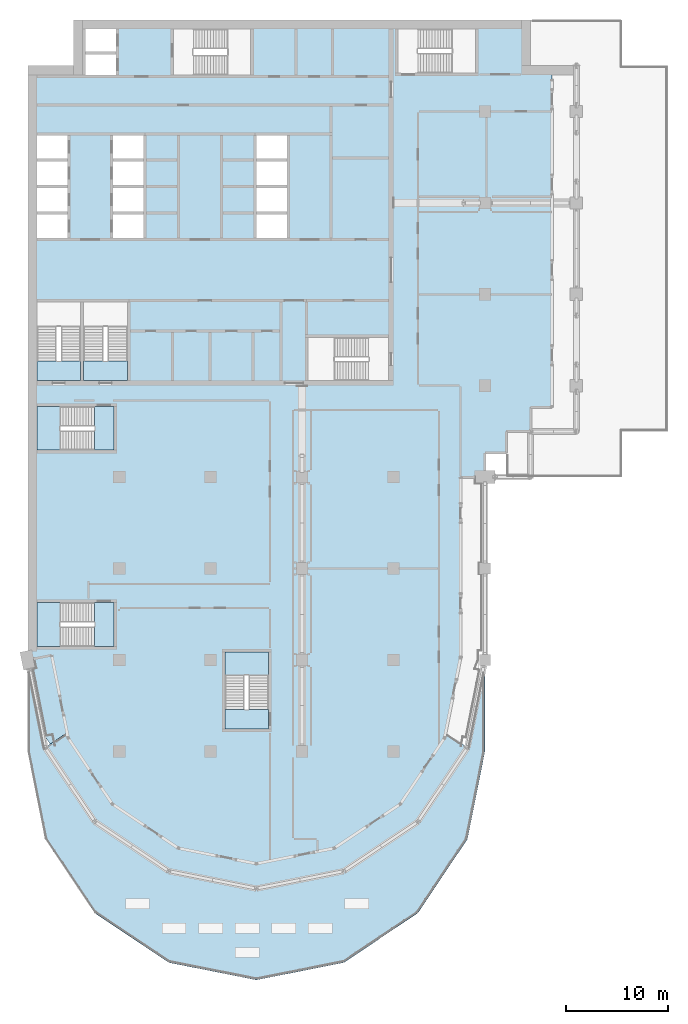
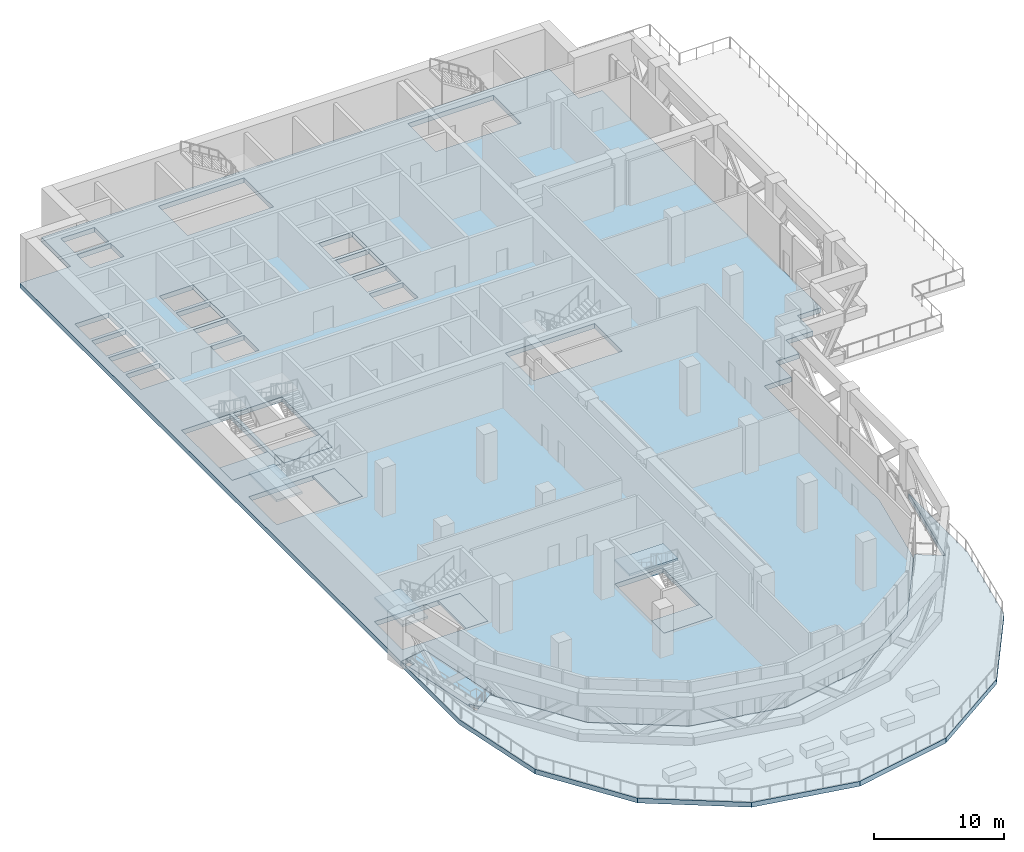
# One storey, part 4 of 20: 11 slabs, 3 elements without a shape of their own.
"""IFC4 building model written with IfcOpenShell, lengths in metres."""

from ifc_helpers import new_model, si_unit, direction, frame, origin, place, context, subcontext, project, spatial, polyline, outline, extrude, material, layer, layer_set, type_object, element, aggregate, save


model = new_model("IFC4")

# Units and contexts
model_context = context("Model", 3, precision=1e-05, world=origin(), true_north=direction((0.0, 1.0)))
body_context = subcontext(model_context, "Body", "Model", "MODEL_VIEW")
ifc_project = project(units=[si_unit("LENGTHUNIT", "METRE"), si_unit("AREAUNIT", "SQUARE_METRE"), si_unit("VOLUMEUNIT", "CUBIC_METRE"), si_unit("PLANEANGLEUNIT", "RADIAN"), si_unit("MASSUNIT", "GRAM", prefix="KILO")], contexts=[model_context])

# Site, building, storey
site_placement = place(None, origin())
site = spatial("IfcSite", under=ifc_project, at=site_placement, CompositionType="ELEMENT")
building_placement = place(site_placement, origin())
building = spatial("IfcBuilding", under=site, at=building_placement, Name="Hunhe Ridgeline Campus", CompositionType="ELEMENT")
storey_placement = place(building_placement, frame((0.0, 0.0, 178.199951171875)))
storey = spatial("IfcBuildingStorey", under=building, at=storey_placement, Name="L45", CompositionType="ELEMENT", Elevation=178.199951171875)

# Slabs
ifc_material = material(Name="Concrete C40", Category="concrete")
ifc_layer_1 = layer(ifc_material, 0.449951171875)
ifc_layer_set_1 = layer_set([ifc_layer_1], Name="Floor slab 450 Concrete C40")
slab_type_1 = type_object("IfcSlabType", Name="Floor slab 450 Concrete C40", PredefinedType="FLOOR", material=ifc_layer_set_1)
slab_1_placement = place(storey_placement, frame((0.0, 0.0, -0.449951171875)))
element("IfcSlab", 1, at=slab_1_placement, inside=storey, type_object=slab_type_1, Name="Floor slab L45 1", PredefinedType="FLOOR", context=body_context, shape_type="SweptSolid", body=[
    extrude(outline(polyline([(3.974365234375, 28.326416015625), (8.321044921875, 21.821044921875), (14.826416015625, 17.474365234375), (22.5, 15.947998046875), (30.173583984375, 17.474365234375), (36.678955078125, 21.821044921875), (41.025634765625, 28.326416015625), (42.59912109375, 36.236572265625), (42.59912109375, 54.00048828125), (44.9990234375, 54.0009765625), (44.999267578125, 56.400634765625), (47.09912109375, 56.40087890625), (47.099609375, 58.5009765625), (49.4990234375, 58.5009765625), (49.49951171875, 60.90087890625), (51.59912109375, 60.90087890625), (51.59912109375, 94.5), (49.5, 94.5), (49.5, 99.0), (4.5, 99.0), (4.5, 94.5), (0.0, 94.5), (0.0, 36.0009765625), (2.354736328125, 36.46875), (3.974365234375, 28.326416015625)]), holes=[polyline([(36.449951171875, 93.800048828125), (44.050048828125, 93.800048828125), (44.050048828125, 98.10009765625), (36.449951171875, 98.10009765625), (36.449951171875, 93.800048828125)]), polyline([(35.5, 63.5), (35.5, 67.75), (27.60009765625, 67.75), (27.60009765625, 63.5), (35.5, 63.5)]), polyline([(25.5, 80.14990234375), (25.5, 82.449951171875), (22.5, 82.449951171875), (22.5, 80.14990234375), (25.5, 80.14990234375)]), polyline([(25.5, 79.85009765625), (22.5, 79.85009765625), (22.5, 77.550048828125), (25.5, 77.550048828125), (25.5, 79.85009765625)]), polyline([(22.5, 87.64990234375), (22.5, 85.35009765625), (25.5, 85.35009765625), (25.5, 87.64990234375), (22.5, 87.64990234375)]), polyline([(22.5, 82.75), (25.5, 82.75), (25.5, 85.050048828125), (22.5, 85.050048828125), (22.5, 82.75)]), polyline([(19.39990234375, 29.199951171875), (23.699951171875, 29.199951171875), (23.699951171875, 36.800048828125), (19.39990234375, 36.800048828125), (19.39990234375, 29.199951171875)]), polyline([(14.35009765625, 93.60009765625), (21.949951171875, 93.60009765625), (21.949951171875, 98.10009765625), (14.35009765625, 98.10009765625), (14.35009765625, 93.60009765625)]), polyline([(8.39990234375, 82.75), (11.39990234375, 82.75), (11.39990234375, 85.050048828125), (8.39990234375, 85.050048828125), (8.39990234375, 82.75)]), polyline([(8.39990234375, 87.64990234375), (8.39990234375, 85.35009765625), (11.39990234375, 85.35009765625), (11.39990234375, 87.64990234375), (8.39990234375, 87.64990234375)]), polyline([(11.39990234375, 79.85009765625), (8.39990234375, 79.85009765625), (8.39990234375, 77.550048828125), (11.39990234375, 77.550048828125), (11.39990234375, 79.85009765625)]), polyline([(11.39990234375, 80.14990234375), (11.39990234375, 82.449951171875), (8.39990234375, 82.449951171875), (8.39990234375, 80.14990234375), (11.39990234375, 80.14990234375)]), polyline([(9.800048828125, 71.25), (5.5, 71.25), (5.5, 63.5), (9.800048828125, 63.5), (9.800048828125, 71.25)]), polyline([(8.699951171875, 95.89990234375), (8.699951171875, 98.10009765625), (5.699951171875, 98.10009765625), (5.699951171875, 95.89990234375), (8.699951171875, 95.89990234375)]), polyline([(8.699951171875, 95.60009765625), (5.699951171875, 95.60009765625), (5.699951171875, 93.60009765625), (8.699951171875, 93.60009765625), (8.699951171875, 95.60009765625)]), polyline([(0.89990234375, 37.35009765625), (8.5, 37.35009765625), (8.5, 41.64990234375), (0.89990234375, 41.64990234375), (0.89990234375, 37.35009765625)]), polyline([(0.89990234375, 60.949951171875), (0.89990234375, 56.64990234375), (8.5, 56.64990234375), (8.5, 60.949951171875), (0.89990234375, 60.949951171875)]), polyline([(0.89990234375, 71.25), (0.89990234375, 63.5), (5.199951171875, 63.5), (5.199951171875, 71.25), (0.89990234375, 71.25)]), polyline([(3.89990234375, 80.14990234375), (3.89990234375, 82.449951171875), (0.89990234375, 82.449951171875), (0.89990234375, 80.14990234375), (3.89990234375, 80.14990234375)]), polyline([(3.89990234375, 79.85009765625), (0.89990234375, 79.85009765625), (0.89990234375, 77.550048828125), (3.89990234375, 77.550048828125), (3.89990234375, 79.85009765625)]), polyline([(0.89990234375, 87.64990234375), (0.89990234375, 85.35009765625), (3.89990234375, 85.35009765625), (3.89990234375, 87.64990234375), (0.89990234375, 87.64990234375)]), polyline([(0.89990234375, 82.75), (3.89990234375, 82.75), (3.89990234375, 85.050048828125), (0.89990234375, 85.050048828125), (0.89990234375, 82.75)])]), origin(), (0.0, 0.0, 1.0), 0.449951171875),
])
ifc_layer_2 = layer(ifc_material, 0.25)
ifc_layer_set_2 = layer_set([ifc_layer_2], Name="Loggia slab 250 Concrete C40")
slab_type_2 = type_object("IfcSlabType", Name="Loggia slab 250 Concrete C40", PredefinedType="FLOOR", material=ifc_layer_set_2)
slab_2_placement = place(storey_placement, frame((0.0, 0.0, -0.25)))
element("IfcSlab", 2, at=slab_2_placement, inside=storey, type_object=slab_type_2, Name="Loggia slab 2", PredefinedType="FLOOR", context=body_context, shape_type="SweptSolid", body=[
    extrude(outline(polyline([(2.20849609375, 27.7275390625), (3.706787109375, 28.727783203125), (3.71240234375, 28.725830078125), (3.970947265625, 28.3388671875), (2.35400390625, 36.46826171875), (0.58837890625, 36.116943359375), (0.76416015625, 35.234375), (0.180419921875, 35.1181640625), (1.52734375, 28.34814453125), (1.711669921875, 28.47119140625), (2.20849609375, 27.7275390625)])), origin(), (0.0, 0.0, 1.0), 0.25),
])
ifc_layer_3 = layer(ifc_material, 0.199951171875)
ifc_layer_set_3 = layer_set([ifc_layer_3], Name="Reinforced concrete stair landing 200 Concrete C40")
slab_type_3 = type_object("IfcSlabType", Name="Reinforced concrete stair landing 200 Concrete C40", PredefinedType="LANDING", material=ifc_layer_set_3)
slab_3_placement = place(storey_placement, frame((0.0, 0.0, -0.199951171875)))
element("IfcSlab", 3, at=slab_3_placement, inside=storey, type_object=slab_type_3, Name="L45 stair S3 floor landing", PredefinedType="LANDING", context=body_context, shape_type="SweptSolid", body=[
    extrude(outline(polyline([(5.199951171875, 63.5), (5.199951171875, 65.449951171875), (0.89990234375, 65.449951171875), (0.89990234375, 63.5), (5.199951171875, 63.5)])), origin(), (0.0, 0.0, 1.0), 0.199951171875),
])
slab_4_placement = place(storey_placement, frame((0.0, 0.0, -0.199951171875)))
element("IfcSlab", 4, at=slab_4_placement, inside=storey, type_object=slab_type_3, Name="L45 stair S4 floor landing", PredefinedType="LANDING", context=body_context, shape_type="SweptSolid", body=[
    extrude(outline(polyline([(9.800048828125, 63.5), (9.800048828125, 65.449951171875), (5.5, 65.449951171875), (5.5, 63.5), (9.800048828125, 63.5)])), origin(), (0.0, 0.0, 1.0), 0.199951171875),
])

# Stair, slab
stair_type = type_object("IfcStairType", Name="Reinforced concrete dog-leg stair 1950 Concrete C40", PredefinedType="HALF_TURN_STAIR", material=ifc_material)
stair_1_placement = place(storey_placement, origin())
stair_1 = element("IfcStair", 5, at=stair_1_placement, inside=storey, type_object=stair_type, Name="L45 W3", PredefinedType="HALF_TURN_STAIR")
slab_5_placement = place(storey_placement, frame((0.0, 0.0, 2.10009765625)))
slab_5 = element("IfcSlab", 6, at=slab_5_placement, type_object=slab_type_3, Name="ST9 landing 1", PredefinedType="LANDING", context=body_context, shape_type="SweptSolid", body=[
    extrude(outline(polyline([(23.699951171875, 34.510009765625), (23.699951171875, 36.800048828125), (19.39990234375, 36.800048828125), (19.39990234375, 34.510009765625), (23.699951171875, 34.510009765625)])), origin(), (0.0, 0.0, 1.0), 0.199951171875),
])
aggregate(stair_1, [slab_5])

# Slab
slab_6_placement = place(storey_placement, frame((0.0, 0.0, -0.199951171875)))
element("IfcSlab", 7, at=slab_6_placement, inside=storey, type_object=slab_type_3, Name="L45 stair W3 floor landing", PredefinedType="LANDING", context=body_context, shape_type="SweptSolid", body=[
    extrude(outline(polyline([(23.699951171875, 29.199951171875), (23.699951171875, 31.14990234375), (19.39990234375, 31.14990234375), (19.39990234375, 29.199951171875), (23.699951171875, 29.199951171875)])), origin(), (0.0, 0.0, 1.0), 0.199951171875),
])

# Stair, slab
stair_2_placement = place(storey_placement, origin())
stair_2 = element("IfcStair", 8, at=stair_2_placement, inside=storey, type_object=stair_type, Name="L45 W1", PredefinedType="HALF_TURN_STAIR")
slab_7_placement = place(storey_placement, frame((0.0, 0.0, 2.10009765625)))
slab_7 = element("IfcSlab", 9, at=slab_7_placement, type_object=slab_type_3, Name="ST11 landing 1", PredefinedType="LANDING", context=body_context, shape_type="SweptSolid", body=[
    extrude(outline(polyline([(3.18994140625, 41.64990234375), (0.89990234375, 41.64990234375), (0.89990234375, 37.35009765625), (3.18994140625, 37.35009765625), (3.18994140625, 41.64990234375)])), origin(), (0.0, 0.0, 1.0), 0.199951171875),
])
aggregate(stair_2, [slab_7])

# Slab
slab_8_placement = place(storey_placement, frame((0.0, 0.0, -0.199951171875)))
element("IfcSlab", 10, at=slab_8_placement, inside=storey, type_object=slab_type_3, Name="L45 stair W1 floor landing", PredefinedType="LANDING", context=body_context, shape_type="SweptSolid", body=[
    extrude(outline(polyline([(8.5, 41.64990234375), (6.550048828125, 41.64990234375), (6.550048828125, 37.35009765625), (8.5, 37.35009765625), (8.5, 41.64990234375)])), origin(), (0.0, 0.0, 1.0), 0.199951171875),
])

# Stair, slab
stair_3_placement = place(storey_placement, origin())
stair_3 = element("IfcStair", 11, at=stair_3_placement, inside=storey, type_object=stair_type, Name="L45 W2", PredefinedType="HALF_TURN_STAIR")
slab_9_placement = place(storey_placement, frame((0.0, 0.0, 2.10009765625)))
slab_9 = element("IfcSlab", 12, at=slab_9_placement, type_object=slab_type_3, Name="ST12 landing 1", PredefinedType="LANDING", context=body_context, shape_type="SweptSolid", body=[
    extrude(outline(polyline([(3.18994140625, 60.949951171875), (0.89990234375, 60.949951171875), (0.89990234375, 56.64990234375), (3.18994140625, 56.64990234375), (3.18994140625, 60.949951171875)])), origin(), (0.0, 0.0, 1.0), 0.199951171875),
])
aggregate(stair_3, [slab_9])

# Slabs
slab_10_placement = place(storey_placement, frame((0.0, 0.0, -0.199951171875)))
element("IfcSlab", 13, at=slab_10_placement, inside=storey, type_object=slab_type_3, Name="L45 stair W2 floor landing", PredefinedType="LANDING", context=body_context, shape_type="SweptSolid", body=[
    extrude(outline(polyline([(8.5, 60.949951171875), (6.550048828125, 60.949951171875), (6.550048828125, 56.64990234375), (8.5, 56.64990234375), (8.5, 60.949951171875)])), origin(), (0.0, 0.0, 1.0), 0.199951171875),
])
ifc_layer_4 = layer(ifc_material, 0.449951171875)
ifc_layer_set_4 = layer_set([ifc_layer_4], Name="Terrace slab 450 Concrete C40")
slab_type_4 = type_object("IfcSlabType", Name="Terrace slab 450 Concrete C40", PredefinedType="FLOOR", material=ifc_layer_set_4)
slab_11_placement = place(storey_placement, frame((0.0, 0.0, -0.449951171875)))
element("IfcSlab", 14, at=slab_11_placement, inside=storey, type_object=slab_type_4, Name="Terrace slab L45 2", PredefinedType="FLOOR", context=body_context, shape_type="SweptSolid", body=[
    extrude(outline(polyline([(30.174072265625, 17.4736328125), (22.5, 15.947021484375), (14.825927734375, 17.4736328125), (8.3203125, 21.8203125), (3.708251953125, 28.722900390625), (1.712646484375, 27.390625), (0.0, 36.0), (0.0, 27.0), (1.712646484375, 18.3896484375), (6.590087890625, 11.090087890625), (13.8896484375, 6.212646484375), (22.5, 4.5), (31.1103515625, 6.212646484375), (38.409912109375, 11.090087890625), (43.287353515625, 18.3896484375), (45.0, 27.0), (45.0, 36.0), (43.287353515625, 27.390625), (41.291748046875, 28.722900390625), (36.6796875, 21.8203125), (30.174072265625, 17.4736328125)])), origin(), (0.0, 0.0, 1.0), 0.449951171875),
])

save(model, "model.ifc")
